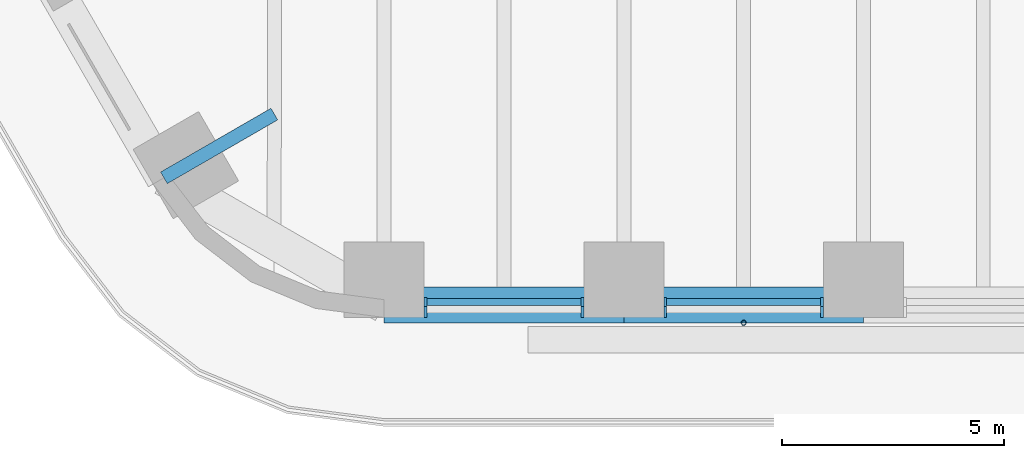
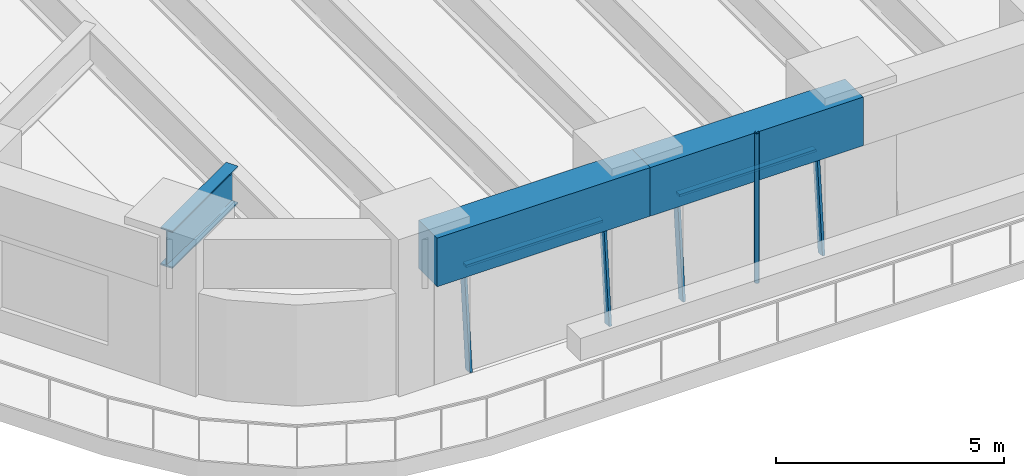
# One storey, part 2 of 24: 7 members, 3 beams, 2 elements without a shape of their own.
"""IFC4 building model written with IfcOpenShell, lengths in metres."""

from ifc_helpers import new_model, si_unit, direction, frame, origin, origin_2d, place, context, subcontext, project, spatial, rectangle, hollow_circle, i_section, extrude, material, material_profile, profile_set, type_object, element, aggregate, save


model = new_model("IFC4")

# Units and contexts
model_context = context("Model", 3, precision=1e-05, world=origin(), true_north=direction((0.0, 1.0)))
body_context = subcontext(model_context, "Body", "Model", "MODEL_VIEW")
ifc_project = project(units=[si_unit("LENGTHUNIT", "METRE"), si_unit("AREAUNIT", "SQUARE_METRE"), si_unit("VOLUMEUNIT", "CUBIC_METRE"), si_unit("PLANEANGLEUNIT", "RADIAN"), si_unit("MASSUNIT", "GRAM", prefix="KILO")], contexts=[model_context])

# Site, building, storey
site_placement = place(None, origin())
site = spatial("IfcSite", under=ifc_project, at=site_placement, CompositionType="ELEMENT")
building_placement = place(site_placement, origin())
building = spatial("IfcBuilding", under=site, at=building_placement, Name="Tarfa Lantern Tower", CompositionType="ELEMENT")
storey_placement = place(building_placement, frame((0.0, 0.0, 90.699951171875)))
storey = spatial("IfcBuildingStorey", under=building, at=storey_placement, Name="L20", CompositionType="ELEMENT", Elevation=90.699951171875)

# Curtain wall, members
ifc_material_1 = material(Name="Aluminium framed curtain wall", Category="aluminium")
curtain_wall_type = type_object("IfcCurtainWallType", Name="CW1 CANTED GLAZING LOW ZONE 2700", PredefinedType="USERDEFINED", material=ifc_material_1)
curtain_wall_1_placement = place(storey_placement, origin())
curtain_wall_1 = element("IfcCurtainWall", 1, at=curtain_wall_1_placement, inside=storey, type_object=curtain_wall_type, Name="CW1 S L20", ObjectType="CURTAIN WALL", PredefinedType="USERDEFINED")
ifc_material_2 = material(Name="Aluminium mullion", Category="aluminium")
ifc_material_profile_1 = material_profile(ifc_material_2, rectangle(XDim=0.06494140625, YDim=0.199951171875, at=origin_2d()), Name="AL MULLION 65x200")
ifc_profile_set_1 = profile_set([ifc_material_profile_1], Name="Aluminium mullion")
member_type_1 = type_object("IfcMemberType", Name="CWM1 MULLION 65x200", PredefinedType="MULLION", material=ifc_profile_set_1)
member_1_placement = place(storey_placement, frame((-15.2333984375, -33.89990234375, 0.0), z_axis=(0.0, 0.092199863775, 0.995740520979), x_axis=(-1.0, 0.0, 0.0)))
member_1 = element("IfcMember", 2, at=member_1_placement, type_object=member_type_1, Name="CW1 mullion 1", PredefinedType="MULLION", context=body_context, shape_type="SweptSolid", body=[
    extrude(rectangle(XDim=0.06494140625, YDim=0.199951171875, at=origin_2d()), origin(), (0.0, 0.0, 1.0), 2.71142578125),
])
member_2_placement = place(storey_placement, frame((-11.709716796875, -33.89990234375, 0.0), z_axis=(0.0, 0.092199863775, 0.995740520979), x_axis=(-1.0, 0.0, 0.0)))
member_2 = element("IfcMember", 3, at=member_2_placement, type_object=member_type_1, Name="CW1 mullion 2", PredefinedType="MULLION", context=body_context, shape_type="SweptSolid", body=[
    extrude(rectangle(XDim=0.06494140625, YDim=0.199951171875, at=origin_2d()), origin(), (0.0, 0.0, 1.0), 2.71142578125),
])

curtain_wall_2_placement = place(storey_placement, origin())
curtain_wall_2 = element("IfcCurtainWall", 4, at=curtain_wall_2_placement, inside=storey, type_object=curtain_wall_type, Name="CW1 S L20", ObjectType="CURTAIN WALL", PredefinedType="USERDEFINED")
member_3_placement = place(storey_placement, frame((-9.8447265625, -33.89990234375, 0.0), z_axis=(0.0, 0.092199863775, 0.995740520979), x_axis=(-1.0, 0.0, 0.0)))
member_3 = element("IfcMember", 5, at=member_3_placement, type_object=member_type_1, Name="CW1 mullion 1", PredefinedType="MULLION", context=body_context, shape_type="SweptSolid", body=[
    extrude(rectangle(XDim=0.06494140625, YDim=0.199951171875, at=origin_2d()), origin(), (0.0, 0.0, 1.0), 2.71142578125),
])
member_4_placement = place(storey_placement, frame((-6.321044921875, -33.89990234375, 0.0), z_axis=(0.0, 0.092199863775, 0.995740520979), x_axis=(-1.0, 0.0, 0.0)))
member_4 = element("IfcMember", 6, at=member_4_placement, type_object=member_type_1, Name="CW1 mullion 2", PredefinedType="MULLION", context=body_context, shape_type="SweptSolid", body=[
    extrude(rectangle(XDim=0.06494140625, YDim=0.199951171875, at=origin_2d()), origin(), (0.0, 0.0, 1.0), 2.71142578125),
])

# Member
ifc_material_3 = material(Name="Aluminium transom", Category="aluminium")
ifc_material_profile_2 = material_profile(ifc_material_3, rectangle(XDim=0.14990234375, YDim=0.06494140625, at=origin_2d()), Name="AL TRANSOM 150x65")
ifc_profile_set_2 = profile_set([ifc_material_profile_2], Name="Aluminium transom")
member_type_2 = type_object("IfcMemberType", Name="CWT1 TRANSOM 150x65", PredefinedType="USERDEFINED", material=ifc_profile_set_2)
member_5_placement = place(storey_placement, frame((-15.200927734375, -33.653076171875, 2.66748046875), z_axis=(1.0, 0.0, 0.0), x_axis=(0.0, 1.0, 0.0)))
member_5 = element("IfcMember", 7, at=member_5_placement, type_object=member_type_2, Name="CW1 transom 1.2", ObjectType="TRANSOM", PredefinedType="USERDEFINED", context=body_context, shape_type="SweptSolid", body=[
    extrude(rectangle(XDim=0.14990234375, YDim=0.06494140625, at=origin_2d()), origin(), (0.0, 0.0, 1.0), 3.458740234375),
])

aggregate(curtain_wall_1, [member_1, member_2, member_5])

member_6_placement = place(storey_placement, frame((-9.812255859375, -33.653076171875, 2.66748046875), z_axis=(1.0, 0.0, 0.0), x_axis=(0.0, 1.0, 0.0)))
member_6 = element("IfcMember", 8, at=member_6_placement, type_object=member_type_2, Name="CW1 transom 1.2", ObjectType="TRANSOM", PredefinedType="USERDEFINED", context=body_context, shape_type="SweptSolid", body=[
    extrude(rectangle(XDim=0.14990234375, YDim=0.06494140625, at=origin_2d()), origin(), (0.0, 0.0, 1.0), 3.458740234375),
])

aggregate(curtain_wall_2, [member_3, member_4, member_6])

# Beams
ifc_material_4 = material(Name="Concrete C80/95", Category="concrete")
ifc_material_profile_3 = material_profile(ifc_material_4, rectangle(XDim=0.800048828125, YDim=1.300048828125, at=origin_2d()), Name="RC 800x1300")
ifc_profile_set_3 = profile_set([ifc_material_profile_3], Name="Concrete C80/95")
beam_type_1 = type_object("IfcBeamType", Name="EB1 RC 800x1300", PredefinedType="SPANDREL", material=ifc_profile_set_3)
beam_1_placement = place(storey_placement, frame((-16.165771484375, -33.719970703125, 3.35009765625), z_axis=(1.0, 0.0, 0.0), x_axis=(0.0, 1.0, 0.0)))
element("IfcBeam", 9, at=beam_1_placement, inside=storey, type_object=beam_type_1, Name="Edge beam S0", PredefinedType="SPANDREL", context=body_context, shape_type="SweptSolid", body=[
    extrude(rectangle(XDim=0.800048828125, YDim=1.300048828125, at=origin_2d()), origin(), (0.0, 0.0, 1.0), 5.388671875),
])
beam_2_placement = place(storey_placement, frame((-10.777099609375, -33.719970703125, 3.35009765625), z_axis=(1.0, 0.0, 0.0), x_axis=(0.0, 1.0, 0.0)))
element("IfcBeam", 10, at=beam_2_placement, inside=storey, type_object=beam_type_1, Name="Edge beam S1", PredefinedType="SPANDREL", context=body_context, shape_type="SweptSolid", body=[
    extrude(rectangle(XDim=0.800048828125, YDim=1.300048828125, at=origin_2d()), origin(), (0.0, 0.0, 1.0), 5.388427734375),
])

# Member
ifc_material_5 = material(Name="Steel S355", Category="steel")
ifc_material_profile_4 = material_profile(ifc_material_5, hollow_circle(Radius=0.05712890625, WallThickness=0.00634765625, at=origin_2d()), Name="CHS114.3x6.3")
ifc_profile_set_4 = profile_set([ifc_material_profile_4], Name="Steel S355")
member_type_3 = type_object("IfcMemberType", Name="TR1 GREEN WALL TRELLIS CHS114.3x6.3", PredefinedType="USERDEFINED", material=ifc_profile_set_4)
member_7_placement = place(storey_placement, frame((-8.0830078125, -34.1201171875, 0.0), z_axis=(0.0, 0.0, 1.0), x_axis=(1.0, 0.0, 0.0)))
element("IfcMember", 11, at=member_7_placement, inside=storey, type_object=member_type_3, Name="Trellis post S 1", ObjectType="TRELLIS", PredefinedType="USERDEFINED", context=body_context, shape_type="SweptSolid", body=[
    extrude(hollow_circle(Radius=0.05712890625, WallThickness=0.00634765625, at=origin_2d()), origin(), (0.0, 0.0, 1.0), 4.0),
])

# Beam
ifc_material_6 = material(Name="Steel S460M", Category="steel")
ifc_material_profile_5 = material_profile(ifc_material_6, i_section(OverallWidth=0.302001953125, OverallDepth=1.008056640625, WebThickness=0.02099609375, FlangeThickness=0.0400390625, FilletRadius=0.030029296875, at=origin_2d()), Name="UB1016x305x349")
ifc_profile_set_5 = profile_set([ifc_material_profile_5], Name="Steel S460M")
beam_type_2 = type_object("IfcBeamType", Name="UB1016x305x349", PredefinedType="BEAM", material=ifc_profile_set_5)
beam_3_placement = place(storey_placement, frame((-21.119384765625, -30.860107421875, 3.49609375), z_axis=(0.866012580594, 0.500022209759, 0.0), x_axis=(-0.500022209759, 0.866012580594, 0.0)))
element("IfcBeam", 12, at=beam_3_placement, inside=storey, type_object=beam_type_2, Name="Floor beam SW6", PredefinedType="BEAM", context=body_context, shape_type="SweptSolid", body=[
    extrude(i_section(OverallWidth=0.302001953125, OverallDepth=1.008056640625, WebThickness=0.02099609375, FlangeThickness=0.0400390625, FilletRadius=0.030029296875, at=origin_2d()), origin(), (0.0, 0.0, 1.0), 2.866943359375),
])

save(model, "model.ifc")
